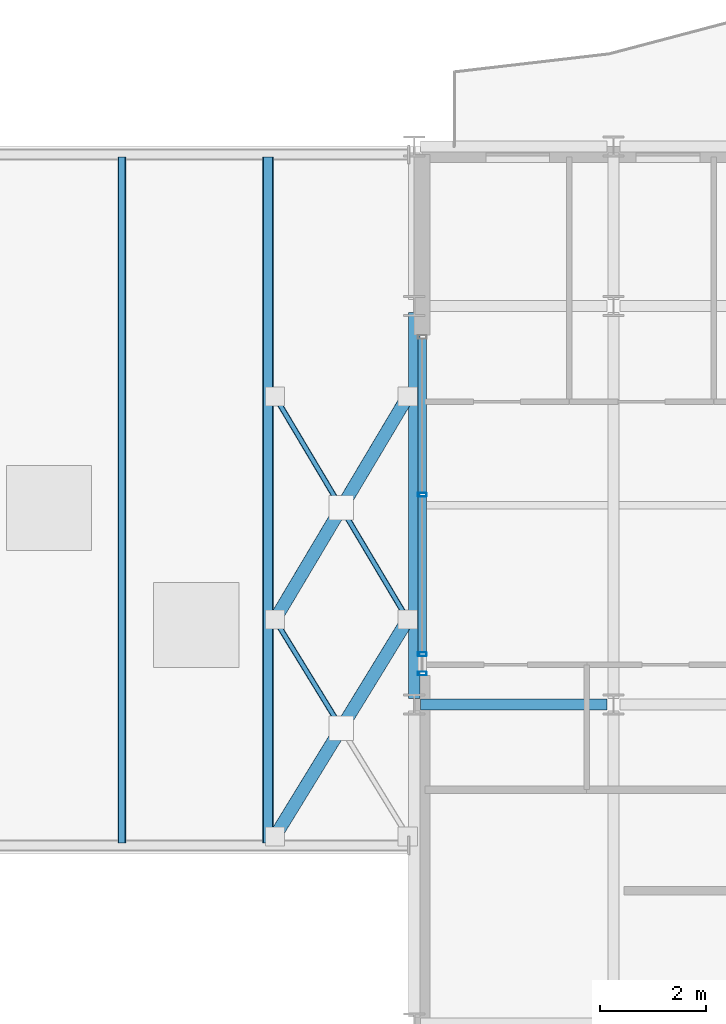
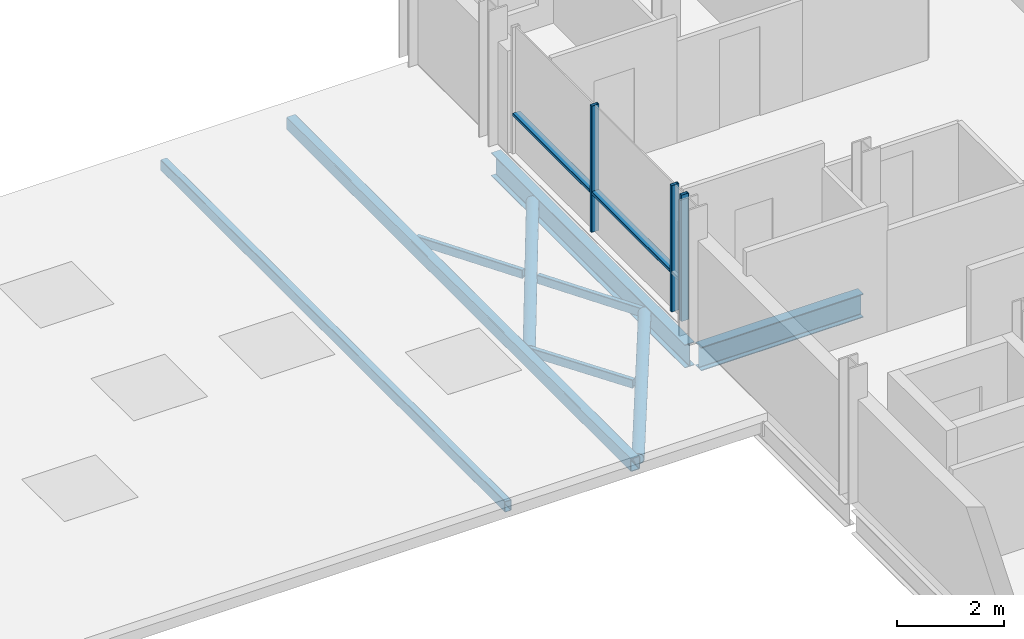
# One storey, part 14 of 33: 12 members, 2 beams, 1 element without a shape of its own.
"""IFC4 building model written with IfcOpenShell, lengths in metres."""

from ifc_helpers import new_model, si_unit, direction, frame, origin, origin_2d, place, context, subcontext, project, spatial, hollow_rectangle, hollow_circle, i_section, extrude, material, layer, layer_set, material_profile, profile_set, type_object, element, aggregate, save


model = new_model("IFC4")

# Units and contexts
model_context = context("Model", 3, precision=1e-05, world=origin(), true_north=direction((0.0, 1.0)))
body_context = subcontext(model_context, "Body", "Model", "MODEL_VIEW")
ifc_project = project(units=[si_unit("LENGTHUNIT", "METRE"), si_unit("AREAUNIT", "SQUARE_METRE"), si_unit("VOLUMEUNIT", "CUBIC_METRE"), si_unit("PLANEANGLEUNIT", "RADIAN"), si_unit("MASSUNIT", "GRAM", prefix="KILO")], contexts=[model_context])

# Site, building, storey
site_placement = place(None, origin())
site = spatial("IfcSite", under=ifc_project, at=site_placement, CompositionType="ELEMENT")
building_placement = place(site_placement, origin())
building = spatial("IfcBuilding", under=site, at=building_placement, Name="Brevholm Reach", CompositionType="ELEMENT")
storey_placement = place(building_placement, frame((0.0, 0.0, 189.39990234375)))
storey = spatial("IfcBuildingStorey", under=building, at=storey_placement, Name="L57", CompositionType="ELEMENT", Elevation=189.39990234375)

# Beams
ifc_material_1 = material(Name="Structural Steel S355J2", Category="steel")
ifc_material_profile_1 = material_profile(ifc_material_1, i_section(OverallWidth=0.209228515625, OverallDepth=0.533203125, WebThickness=0.010009765625, FlangeThickness=0.015625, FilletRadius=0.0126953125, at=origin_2d()), Name="UKB 533x210x92")
ifc_profile_set_1 = profile_set([ifc_material_profile_1], Name="Structural Steel S355J2")
beam_type_1 = type_object("IfcBeamType", Name="BM-SP533", PredefinedType="SPANDREL", material=ifc_profile_set_1)
beam_1_placement = place(storey_placement, frame((38.25, 16.1201171875, -0.4765625), z_axis=(0.0, 1.0, 0.0), x_axis=(-1.0, 0.0, 0.0)))
element("IfcBeam", 1, at=beam_1_placement, inside=storey, type_object=beam_type_1, Name="L57 SP-02 Framing Beam", PredefinedType="SPANDREL", context=body_context, shape_type="SweptSolid", body=[
    extrude(i_section(OverallWidth=0.209228515625, OverallDepth=0.533203125, WebThickness=0.010009765625, FlangeThickness=0.015625, FilletRadius=0.0126953125, at=origin_2d()), origin(), (0.0, 0.0, 1.0), 7.259765625),
])
ifc_material_2 = material(Name="Structural Steel S355J2", Category="steel")
ifc_material_profile_2 = material_profile(ifc_material_2, i_section(OverallWidth=0.210693359375, OverallDepth=0.53955078125, WebThickness=0.01171875, FlangeThickness=0.018798828125, FilletRadius=0.0126953125, at=origin_2d()), Name="UKB 533x210x109")
ifc_profile_set_2 = profile_set([ifc_material_profile_2], Name="Structural Steel S355J2")
beam_type_2 = type_object("IfcBeamType", Name="BM-SP539", PredefinedType="SPANDREL", material=ifc_profile_set_2)
beam_2_placement = place(storey_placement, frame((38.3701171875, 16.0, -0.479736328125), z_axis=(1.0, 0.0, 0.0), x_axis=(0.0, 1.0, 0.0)))
element("IfcBeam", 2, at=beam_2_placement, inside=storey, type_object=beam_type_2, Name="L57 SP-01B Framing Beam", PredefinedType="SPANDREL", context=body_context, shape_type="SweptSolid", body=[
    extrude(i_section(OverallWidth=0.210693359375, OverallDepth=0.53955078125, WebThickness=0.01171875, FlangeThickness=0.018798828125, FilletRadius=0.0126953125, at=origin_2d()), origin(), (0.0, 0.0, 1.0), 3.509765625),
])

# Curtain wall, members
ifc_material_3 = material(Name="Dark Anodised Aluminium 6063-T6 and Solar-Control Glass", Category="aluminium")
ifc_layer = layer(ifc_material_3, 0.1650390625)
ifc_layer_set = layer_set([ifc_layer], Name="Dark Anodised Aluminium 6063-T6 and Solar-Control Glass")
curtain_wall_type = type_object("IfcCurtainWallType", Name="CW-04", PredefinedType="NOTDEFINED", material=ifc_layer_set)
curtain_wall_placement = place(storey_placement, origin())
curtain_wall = element("IfcCurtainWall", 3, at=curtain_wall_placement, inside=storey, type_object=curtain_wall_type, Name="L57 Curtain Wall CW-04", PredefinedType="NOTDEFINED")
ifc_material_4 = material(Name="Dark Anodised Aluminium 6063-T6", Category="aluminium")
ifc_material_profile_3 = material_profile(ifc_material_4, hollow_rectangle(XDim=0.070068359375, YDim=0.1650390625, WallThickness=0.0048828125, InnerFilletRadius=0.0048828125, OuterFilletRadius=0.010009765625, at=origin_2d()), Name="RHS 165x70x5")
ifc_profile_set_3 = profile_set([ifc_material_profile_3], Name="Dark Anodised Aluminium 6063-T6")
member_type_1 = type_object("IfcMemberType", Name="CWM-165", PredefinedType="MULLION", material=ifc_profile_set_3)
member_1_placement = place(storey_placement, frame((38.39990234375, 19.949951171875, 0.0), z_axis=(0.0, 0.0, 1.0), x_axis=(0.0, -1.0, 0.0)))
member_1 = element("IfcMember", 4, at=member_1_placement, type_object=member_type_1, Name="CM-165 Mullion 2", PredefinedType="MULLION", context=body_context, shape_type="SweptSolid", body=[
    extrude(hollow_rectangle(XDim=0.070068359375, YDim=0.1650390625, WallThickness=0.0048828125, InnerFilletRadius=0.0048828125, OuterFilletRadius=0.010009765625, at=origin_2d()), origin(), (0.0, 0.0, 1.0), 2.89013671875),
])
member_2_placement = place(storey_placement, frame((38.39990234375, 16.949951171875, 0.0), z_axis=(0.0, 0.0, 1.0), x_axis=(0.0, -1.0, 0.0)))
member_2 = element("IfcMember", 5, at=member_2_placement, type_object=member_type_1, Name="CM-165 Mullion 3", PredefinedType="MULLION", context=body_context, shape_type="SweptSolid", body=[
    extrude(hollow_rectangle(XDim=0.070068359375, YDim=0.1650390625, WallThickness=0.0048828125, InnerFilletRadius=0.0048828125, OuterFilletRadius=0.010009765625, at=origin_2d()), origin(), (0.0, 0.0, 1.0), 2.89013671875),
])
member_3_placement = place(storey_placement, frame((38.39990234375, 16.5849609375, 0.0), z_axis=(0.0, 0.0, 1.0), x_axis=(0.0, -1.0, 0.0)))
member_3 = element("IfcMember", 6, at=member_3_placement, type_object=member_type_1, Name="CM-165 Mullion 4", PredefinedType="MULLION", context=body_context, shape_type="SweptSolid", body=[
    extrude(hollow_rectangle(XDim=0.070068359375, YDim=0.1650390625, WallThickness=0.0048828125, InnerFilletRadius=0.0048828125, OuterFilletRadius=0.010009765625, at=origin_2d()), origin(), (0.0, 0.0, 1.0), 2.89013671875),
])
ifc_material_5 = material(Name="Dark Anodised Aluminium 6063-T6", Category="aluminium")
ifc_material_profile_4 = material_profile(ifc_material_5, hollow_rectangle(XDim=0.070068359375, YDim=0.1650390625, WallThickness=0.0048828125, InnerFilletRadius=0.0048828125, OuterFilletRadius=0.010009765625, at=origin_2d()), Name="RHS 165x70x5")
ifc_profile_set_4 = profile_set([ifc_material_profile_4], Name="Dark Anodised Aluminium 6063-T6")
member_type_2 = type_object("IfcMemberType", Name="CWT-165", PredefinedType="NOTDEFINED", material=ifc_profile_set_4)
member_4_placement = place(storey_placement, frame((38.39990234375, 22.8798828125, 0.900146484375), z_axis=(0.0, -1.0, 0.0), x_axis=(0.0, 0.0, 1.0)))
member_4 = element("IfcMember", 7, at=member_4_placement, type_object=member_type_2, Name="CT-165 Transom 1.1", ObjectType="TRANSOM", PredefinedType="USERDEFINED", context=body_context, shape_type="SweptSolid", body=[
    extrude(hollow_rectangle(XDim=0.070068359375, YDim=0.1650390625, WallThickness=0.0048828125, InnerFilletRadius=0.0048828125, OuterFilletRadius=0.010009765625, at=origin_2d()), origin(), (0.0, 0.0, 1.0), 2.894775390625),
])
member_5_placement = place(storey_placement, frame((38.39990234375, 19.9150390625, 0.900146484375), z_axis=(0.0, -1.0, 0.0), x_axis=(0.0, 0.0, 1.0)))
member_5 = element("IfcMember", 8, at=member_5_placement, type_object=member_type_2, Name="CT-165 Transom 2.1", ObjectType="TRANSOM", PredefinedType="USERDEFINED", context=body_context, shape_type="SweptSolid", body=[
    extrude(hollow_rectangle(XDim=0.070068359375, YDim=0.1650390625, WallThickness=0.0048828125, InnerFilletRadius=0.0048828125, OuterFilletRadius=0.010009765625, at=origin_2d()), origin(), (0.0, 0.0, 1.0), 2.929931640625),
])
aggregate(curtain_wall, [member_1, member_2, member_3, member_4, member_5])

# Members
ifc_material_6 = material(Name="Structural Steel S355J2H", Category="steel")
ifc_material_profile_5 = material_profile(ifc_material_6, hollow_circle(Radius=0.122314453125, WallThickness=0.010009765625, at=origin_2d()), Name="CHS 244.5x10")
ifc_profile_set_5 = profile_set([ifc_material_profile_5], Name="Structural Steel S355J2H")
member_type_3 = type_object("IfcMemberType", Name="MEM-BR-CHS244", PredefinedType="BRACE", material=ifc_profile_set_5)
member_6_placement = place(storey_placement, frame((35.6298828125, 13.52001953125, -0.35498046875), z_axis=(0.522456769718, 0.852665774953, 0.0), x_axis=(-0.852665774953, 0.522456769718, 0.0)))
element("IfcMember", 9, at=member_6_placement, inside=storey, type_object=member_type_3, Name="L57 Skylight Plan Wind Brace 4", PredefinedType="BRACE", context=body_context, shape_type="SweptSolid", body=[
    extrude(hollow_circle(Radius=0.122314453125, WallThickness=0.010009765625, at=origin_2d()), origin(), (0.0, 0.0, 1.0), 4.78515625),
])
member_7_placement = place(storey_placement, frame((35.6298828125, 17.60009765625, -0.35498046875), z_axis=(0.511488250512, 0.859290270856, 0.0), x_axis=(-0.859290270856, 0.511488250512, 0.0)))
element("IfcMember", 10, at=member_7_placement, inside=storey, type_object=member_type_3, Name="L57 Skylight Plan Wind Brace 5", PredefinedType="BRACE", context=body_context, shape_type="SweptSolid", body=[
    extrude(hollow_circle(Radius=0.122314453125, WallThickness=0.010009765625, at=origin_2d()), origin(), (0.0, 0.0, 1.0), 4.8876953125),
])
ifc_material_7 = material(Name="Structural Steel S355J2H", Category="steel")
ifc_material_profile_6 = material_profile(ifc_material_7, hollow_rectangle(XDim=0.10009765625, YDim=0.199951171875, WallThickness=0.008056640625, InnerFilletRadius=0.008056640625, OuterFilletRadius=0.01611328125, at=origin_2d()), Name="RHS 200x100x8")
ifc_profile_set_6 = profile_set([ifc_material_profile_6], Name="Structural Steel S355J2H")
member_type_4 = type_object("IfcMemberType", Name="MEM-BR-RHS200", PredefinedType="BRACE", material=ifc_profile_set_6)
member_8_placement = place(storey_placement, frame((35.6298828125, 17.60009765625, -0.35498046875), z_axis=(0.522449234713, -0.852670391856, 0.0), x_axis=(0.852670391856, 0.522449234713, 0.0)))
element("IfcMember", 11, at=member_8_placement, inside=storey, type_object=member_type_4, Name="L57 Skylight Secondary Wind Tie 4A", PredefinedType="BRACE", context=body_context, shape_type="SweptSolid", body=[
    extrude(hollow_rectangle(XDim=0.10009765625, YDim=0.199951171875, WallThickness=0.008056640625, InnerFilletRadius=0.008056640625, OuterFilletRadius=0.01611328125, at=origin_2d()), origin(), (0.0, 0.0, 1.0), 2.232666015625),
])
member_9_placement = place(storey_placement, frame((35.6298828125, 21.800048828125, -0.35498046875), z_axis=(0.511474463691, -0.859298477243, 0.0), x_axis=(0.859298477243, 0.511474463691, 0.0)))
element("IfcMember", 12, at=member_9_placement, inside=storey, type_object=member_type_4, Name="L57 Skylight Secondary Wind Tie 5A", PredefinedType="BRACE", context=body_context, shape_type="SweptSolid", body=[
    extrude(hollow_rectangle(XDim=0.10009765625, YDim=0.199951171875, WallThickness=0.008056640625, InnerFilletRadius=0.008056640625, OuterFilletRadius=0.01611328125, at=origin_2d()), origin(), (0.0, 0.0, 1.0), 2.283935546875),
])
member_10_placement = place(storey_placement, frame((36.9619140625, 19.5625, -0.35498046875), z_axis=(0.511442510512, -0.859317495714, 0.0), x_axis=(0.859317495714, 0.511442510512, 0.0)))
element("IfcMember", 13, at=member_10_placement, inside=storey, type_object=member_type_4, Name="L57 Skylight Secondary Wind Tie 5B", PredefinedType="BRACE", context=body_context, shape_type="SweptSolid", body=[
    extrude(hollow_rectangle(XDim=0.10009765625, YDim=0.199951171875, WallThickness=0.008056640625, InnerFilletRadius=0.008056640625, OuterFilletRadius=0.01611328125, at=origin_2d()), origin(), (0.0, 0.0, 1.0), 2.28369140625),
])
ifc_material_8 = material(Name="Structural Steel S355J2H", Category="steel")
ifc_material_profile_7 = material_profile(ifc_material_8, hollow_rectangle(XDim=0.14990234375, YDim=0.25, WallThickness=0.010009765625, InnerFilletRadius=0.010009765625, OuterFilletRadius=0.02001953125, at=origin_2d()), Name="RHS 250x150x10")
ifc_profile_set_7 = profile_set([ifc_material_profile_7], Name="Structural Steel S355J2H")
member_type_5 = type_object("IfcMemberType", Name="MEM-CH-RHS250", PredefinedType="CHORD", material=ifc_profile_set_7)
member_11_placement = place(storey_placement, frame((32.75, 13.39990234375, -0.35498046875), z_axis=(0.0, 1.0, 0.0), x_axis=(-1.0, 0.0, 0.0)))
element("IfcMember", 14, at=member_11_placement, inside=storey, type_object=member_type_5, Name="L57 Atrium Skylight Purlin Chord 4", PredefinedType="CHORD", context=body_context, shape_type="SweptSolid", body=[
    extrude(hollow_rectangle(XDim=0.14990234375, YDim=0.25, WallThickness=0.010009765625, InnerFilletRadius=0.010009765625, OuterFilletRadius=0.02001953125, at=origin_2d()), origin(), (0.0, 0.0, 1.0), 12.900146484375),
])
ifc_material_9 = material(Name="Structural Steel S355J2H", Category="steel")
ifc_material_profile_8 = material_profile(ifc_material_9, hollow_rectangle(XDim=0.199951171875, YDim=0.300048828125, WallThickness=0.012451171875, InnerFilletRadius=0.011962890625, OuterFilletRadius=0.02392578125, at=origin_2d()), Name="RHS 300x200x12.5")
ifc_profile_set_8 = profile_set([ifc_material_profile_8], Name="Structural Steel S355J2H")
member_type_6 = type_object("IfcMemberType", Name="MEM-CH-RHS300", PredefinedType="CHORD", material=ifc_profile_set_8)
member_12_placement = place(storey_placement, frame((35.5, 13.39990234375, -0.35498046875), z_axis=(0.0, 1.0, 0.0), x_axis=(-1.0, 0.0, 0.0)))
element("IfcMember", 15, at=member_12_placement, inside=storey, type_object=member_type_6, Name="L57 Atrium Skylight Purlin Chord 5", PredefinedType="CHORD", context=body_context, shape_type="SweptSolid", body=[
    extrude(hollow_rectangle(XDim=0.199951171875, YDim=0.300048828125, WallThickness=0.012451171875, InnerFilletRadius=0.011962890625, OuterFilletRadius=0.02392578125, at=origin_2d()), origin(), (0.0, 0.0, 1.0), 12.900146484375),
])

save(model, "model.ifc")
